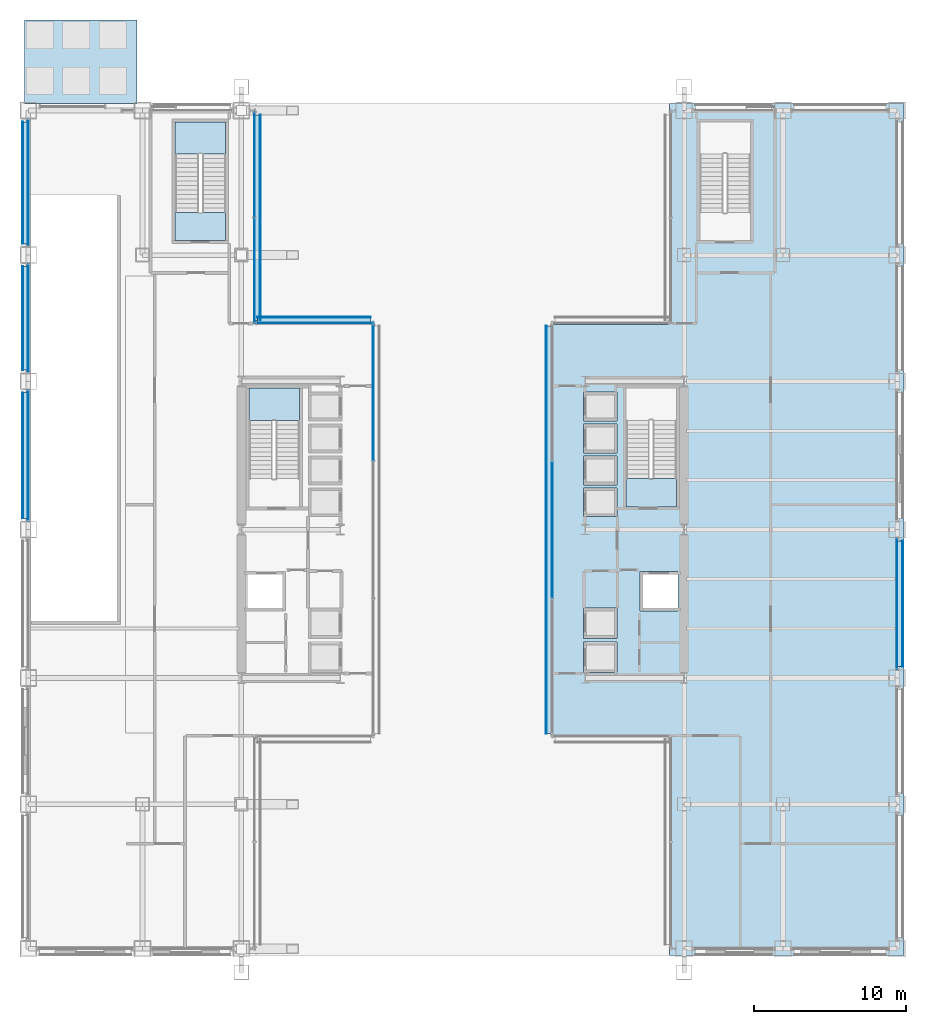
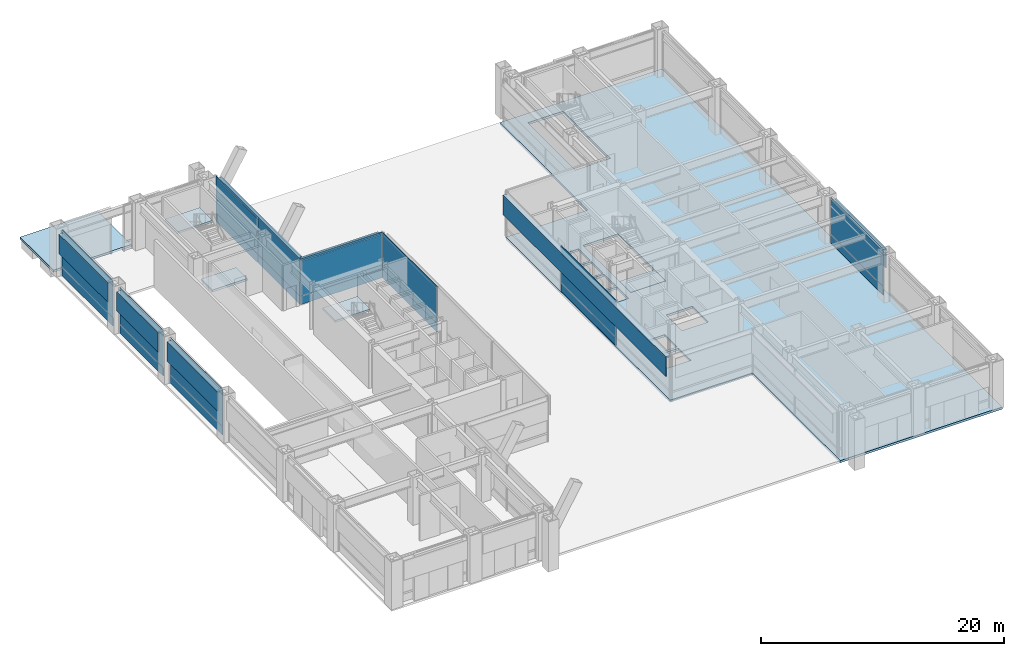
# One storey, part 25 of 37: 32 plates, 6 slabs, 10 elements without a shape of their own.
"""IFC4 building model written with IfcOpenShell, lengths in metres."""

import ifcopenshell
import ifcopenshell.guid

model = None  # the IFC model being written
_history = None  # IfcOwnerHistory: only IFC2X3 demands one
_inside = {}  # id of a spatial element -> (the spatial element, [elements in it])
_under = {}  # id of a project, library or spatial element -> (it, [spatial elements below it])
_declared = {}  # id of a project -> (the project, [libraries it declares])
_typed = {}  # id of a type object -> (the type object, [elements of that type])
_made_of = {}  # id of a material, layer set ... -> (it, [elements and type objects made of it])


def new_model(schema):
    """Start an empty IFC model of exactly this schema.

    Asked for "IFC4X3", IfcOpenShell would pick the latest addendum, in which some entities
    have other attributes; the version numbers below select the first issue.
    IFC2X3 requires an IfcOwnerHistory on every rooted entity: one is made here for all.
    """
    global model, _history
    if schema == "IFC4X3":
        model = ifcopenshell.file(schema_version=(4, 3, 0, 0))
    else:
        model = ifcopenshell.file(schema=schema)
    _inside.clear()
    _under.clear()
    _declared.clear()
    _typed.clear()
    _made_of.clear()
    _history = None
    if model.schema == "IFC2X3":
        org = make("IfcOrganization", Name="unknown")
        user = make(
            "IfcPersonAndOrganization",
            ThePerson=make("IfcPerson", FamilyName="unknown"),
            TheOrganization=org,
        )
        app = make(
            "IfcApplication",
            ApplicationDeveloper=org,
            Version="unknown",
            ApplicationFullName="unknown",
            ApplicationIdentifier="unknown",
        )
        _history = make(
            "IfcOwnerHistory",
            OwningUser=user,
            OwningApplication=app,
            ChangeAction="ADDED",
            CreationDate=0,
        )
    return model


def make(cls, **values):
    """One entity of the class cls with the attributes given. An attribute that is None is left unset."""
    return model.create_entity(
        cls, **{name: value for name, value in values.items() if value is not None}
    )


def rooted(cls, **values):
    """An entity with a GlobalId (a new one), such as an element, a storey or a relation."""
    return make(cls, GlobalId=ifcopenshell.guid.new(), OwnerHistory=_history, **values)


def si_unit(unit_type, name, prefix=None):
    """IfcSIUnit, for example si_unit("LENGTHUNIT", "METRE", prefix="MILLI")."""
    return make("IfcSIUnit", UnitType=unit_type, Prefix=prefix, Name=name)


def assignment(units):
    """IfcUnitAssignment: the units of a project."""
    return None if units is None else make("IfcUnitAssignment", Units=units)


def point(xyz):
    """IfcCartesianPoint."""
    return None if xyz is None else make("IfcCartesianPoint", Coordinates=xyz)


def direction(xyz):
    """IfcDirection."""
    return None if xyz is None else make("IfcDirection", DirectionRatios=xyz)


def frame(location, z_axis=None, x_axis=None):
    """IfcAxis2Placement3D, a coordinate frame: its origin and axes. An axis left out is left unset."""
    return make(
        "IfcAxis2Placement3D",
        Location=point(location),
        Axis=direction(z_axis),
        RefDirection=direction(x_axis),
    )


def frame_2d(location, x_axis=None):
    """IfcAxis2Placement2D, a coordinate frame in the plane: its origin and x axis."""
    return make(
        "IfcAxis2Placement2D", Location=point(location), RefDirection=direction(x_axis)
    )


def origin():
    """The frame at (0, 0, 0) with its axes left unset."""
    return frame((0.0, 0.0, 0.0))


def origin_2d():
    """The frame at (0, 0) in the plane with its x axis left unset."""
    return frame_2d((0.0, 0.0))


def place(relative_to, where):
    """IfcLocalPlacement: puts the frame where relative to a parent placement (None: the world)."""
    return make(
        "IfcLocalPlacement", PlacementRelTo=relative_to, RelativePlacement=where
    )


def context(
    kind, dimensions, precision=None, world=None, true_north=None, identifier=None
):
    """IfcGeometricRepresentationContext, for example the 3D "Model" context."""
    return make(
        "IfcGeometricRepresentationContext",
        ContextIdentifier=identifier,
        ContextType=kind,
        CoordinateSpaceDimension=dimensions,
        Precision=precision,
        WorldCoordinateSystem=world,
        TrueNorth=true_north,
    )


def subcontext(parent, identifier, kind, view, scale=None):
    """IfcGeometricRepresentationSubContext, for example "Body" below "Model"."""
    return make(
        "IfcGeometricRepresentationSubContext",
        ContextIdentifier=identifier,
        ContextType=kind,
        ParentContext=parent,
        TargetScale=scale,
        TargetView=view,
    )


def project(units=None, contexts=None):
    """IfcProject with its units and contexts."""
    return rooted(
        "IfcProject",
        Name="project",
        RepresentationContexts=contexts,
        UnitsInContext=assignment(units),
    )


def spatial(cls, under=None, at=None, **own):
    """A site, building, storey or space (cls), placed at a placement, below another one or the project."""
    s = rooted(cls, ObjectPlacement=at, **own)
    if under is not None:
        _under.setdefault(under.id(), (under, []))[1].append(s)
    return s


def polyline(points):
    """IfcPolyline through the points."""
    return make("IfcPolyline", Points=[point(p) for p in points])


def profile(cls, at=None, kind="AREA", **sizes):
    """A parametric profile (cls). Its sizes go by their IFC names, for example OverallWidth=200.0."""
    return make(cls, ProfileType=kind, Position=at, **sizes)


def rectangle(**sizes):
    """IfcRectangleProfileDef."""
    return profile("IfcRectangleProfileDef", **sizes)


def outline(outer, holes=None, kind="AREA"):
    """IfcArbitraryClosedProfileDef: a profile drawn as a closed curve; with holes, ...WithVoids."""
    if holes is None:
        return make("IfcArbitraryClosedProfileDef", ProfileType=kind, OuterCurve=outer)
    return make(
        "IfcArbitraryProfileDefWithVoids",
        ProfileType=kind,
        OuterCurve=outer,
        InnerCurves=holes,
    )


def extrude(swept, where, along, depth):
    """IfcExtrudedAreaSolid: the profile swept, set in the frame where, extruded along a direction by depth."""
    return make(
        "IfcExtrudedAreaSolid",
        SweptArea=swept,
        Position=where,
        ExtrudedDirection=direction(along),
        Depth=depth,
    )


def shape(context_of_items, identifier, shape_type, items):
    """IfcShapeRepresentation: the items that make up one representation, for example the "Body"."""
    return make(
        "IfcShapeRepresentation",
        ContextOfItems=context_of_items,
        RepresentationIdentifier=identifier,
        RepresentationType=shape_type,
        Items=items,
    )


def material(Name=None, Category=None):
    """IfcMaterial."""
    return make("IfcMaterial", Name=Name, Category=Category)


def layer(
    of_material, thickness, ventilated=None, Name=None, Category=None, Priority=None
):
    """IfcMaterialLayer: one layer of a wall or slab, of a material (None: an air gap)."""
    return make(
        "IfcMaterialLayer",
        Material=of_material,
        LayerThickness=thickness,
        IsVentilated=ventilated,
        Name=Name,
        Category=Category,
        Priority=Priority,
    )


def layer_set(layers, Name=None):
    """IfcMaterialLayerSet."""
    return make("IfcMaterialLayerSet", MaterialLayers=layers, LayerSetName=Name)


def made_of(thing, what):
    """Note that an element or type object is made of a material, layer set ...; save() writes the relation."""
    if what is not None:
        _made_of.setdefault(what.id(), (what, []))[1].append(thing)
    return thing


def type_object(cls, material=None, **own):
    """A type object (cls), such as IfcWallType, which elements share."""
    return made_of(rooted(cls, **own), material)


def element(
    cls,
    number,
    at=None,
    inside=None,
    cuts=None,
    type_object=None,
    material=None,
    context=None,
    identifier="Body",
    shape_type=None,
    held_by="IfcProductDefinitionShape",
    body=None,
    shapes=None,
    **own,
):
    """One element of the class cls, such as IfcWall. Its Tag is "e" and its number.

    at: its placement. inside: the storey or other place that contains it. cuts: it is an
    opening in that element (IfcRelVoidsElement). A single representation is given by context,
    identifier, shape_type and body (its items); several are given by shapes. held_by: the class
    of the entity that holds the representations. save() writes the other relations.
    """
    e = rooted(cls, Tag="e%d" % number, ObjectPlacement=at, **own)
    if body is not None:
        shapes = [shape(context, identifier, shape_type, body)]
    if shapes is not None:
        e.Representation = make(held_by, Representations=shapes)
    if inside is not None:
        _inside.setdefault(inside.id(), (inside, []))[1].append(e)
    if cuts is not None:
        rooted(
            "IfcRelVoidsElement", RelatingBuildingElement=cuts, RelatedOpeningElement=e
        )
    if type_object is not None:
        _typed.setdefault(type_object.id(), (type_object, []))[1].append(e)
    return made_of(e, material)


def aggregate(whole, parts):
    """IfcRelAggregates: a whole, such as a stair, and the parts it consists of."""
    return rooted("IfcRelAggregates", RelatingObject=whole, RelatedObjects=parts)


def save(model, path):
    """Write the relations noted so far, then the file.

    IfcRelAggregates (storeys below a building ...), IfcRelContainedInSpatialStructure (elements
    in a storey), IfcRelDefinesByType, IfcRelAssociatesMaterial and IfcRelDeclares: one each for
    every whole, place, type object, material and project.
    """
    for whole, parts in _under.values():
        aggregate(whole, parts)
    for where, things in _inside.values():
        rooted(
            "IfcRelContainedInSpatialStructure",
            RelatedElements=things,
            RelatingStructure=where,
        )
    for kind, things in _typed.values():
        rooted("IfcRelDefinesByType", RelatedObjects=things, RelatingType=kind)
    for what, things in _made_of.values():
        rooted("IfcRelAssociatesMaterial", RelatedObjects=things, RelatingMaterial=what)
    for by, libraries in _declared.values():
        rooted("IfcRelDeclares", RelatingContext=by, RelatedDefinitions=libraries)
    model.write(path)


model = new_model("IFC4")

# Units and contexts
model_context = context("Model", 3, precision=1e-05, world=origin(), true_north=direction((0.0, 1.0)))
body_context = subcontext(model_context, "Body", "Model", "MODEL_VIEW")
ifc_project = project(units=[si_unit("LENGTHUNIT", "METRE"), si_unit("AREAUNIT", "SQUARE_METRE"), si_unit("VOLUMEUNIT", "CUBIC_METRE"), si_unit("PLANEANGLEUNIT", "RADIAN"), si_unit("MASSUNIT", "GRAM", prefix="KILO")], contexts=[model_context])

# Site, building, storey
site_placement = place(None, origin())
site = spatial("IfcSite", under=ifc_project, at=site_placement, CompositionType="ELEMENT")
building_placement = place(site_placement, origin())
building = spatial("IfcBuilding", under=site, at=building_placement, Name="Brelmoor Portico Tower", CompositionType="ELEMENT")
storey_placement = place(building_placement, origin())
storey = spatial("IfcBuildingStorey", under=building, at=storey_placement, Name="L00", CompositionType="ELEMENT", Elevation=0.0)

# Curtain wall, plate
ifc_material_1 = material(Name="Anodised Aluminium Alloy 6063-T6", Category="aluminium")
ifc_layer_1 = layer(ifc_material_1, 0.179931640625)
ifc_layer_set_1 = layer_set([ifc_layer_1], Name="Anodised Aluminium Alloy 6063-T6")
curtain_wall_type = type_object("IfcCurtainWallType", Name="CW-PODIUM-ARCH", PredefinedType="NOTDEFINED", material=ifc_layer_set_1)
curtain_wall_1_placement = place(storey_placement, origin())
curtain_wall_1 = element("IfcCurtainWall", 1, at=curtain_wall_1_placement, inside=storey, type_object=curtain_wall_type, Name="L00 Curtain Wall CW-L00-05-4", PredefinedType="NOTDEFINED")
ifc_material_2 = material(Name="Double-Silver Low-E Insulated Glazing", Category="glass")
ifc_layer_2 = layer(ifc_material_2, 0.035888671875)
ifc_layer_set_2 = layer_set([ifc_layer_2], Name="Double-Silver Low-E Insulated Glazing")
plate_type_1 = type_object("IfcPlateType", Name="PT-CW-GLASS", PredefinedType="CURTAIN_PANEL", material=ifc_layer_set_2)
plate_1_placement = place(storey_placement, frame((-28.550048828125, 4.875, 0.85009765625), z_axis=(0.0, 0.0, 1.0), x_axis=(0.0, 1.0, 0.0)))
plate_1 = element("IfcPlate", 2, at=plate_1_placement, type_object=plate_type_1, Name="CW-L00-05-4 Vision Glass Panel 00", PredefinedType="CURTAIN_PANEL", context=body_context, shape_type="SweptSolid", body=[
    extrude(rectangle(XDim=8.60009765625, YDim=0.035888671875, at=origin_2d()), origin(), (0.0, 0.0, 1.0), 3.72998046875),
])

curtain_wall_2_placement = place(storey_placement, origin())
curtain_wall_2 = element("IfcCurtainWall", 3, at=curtain_wall_2_placement, inside=storey, type_object=curtain_wall_type, Name="L00 Curtain Wall CW-L00-05-5", PredefinedType="NOTDEFINED")
plate_2_placement = place(storey_placement, frame((-28.550048828125, 13.89990234375, 0.85009765625), z_axis=(0.0, 0.0, 1.0), x_axis=(0.0, 1.0, 0.0)))
plate_2 = element("IfcPlate", 4, at=plate_2_placement, type_object=plate_type_1, Name="CW-L00-05-5 Vision Glass Panel 00", PredefinedType="CURTAIN_PANEL", context=body_context, shape_type="SweptSolid", body=[
    extrude(rectangle(XDim=7.14990234375, YDim=0.035888671875, at=origin_2d()), origin(), (0.0, 0.0, 1.0), 3.72998046875),
])

curtain_wall_3_placement = place(storey_placement, origin())
curtain_wall_3 = element("IfcCurtainWall", 5, at=curtain_wall_3_placement, inside=storey, type_object=curtain_wall_type, Name="L00 Curtain Wall CW-L00-05-6", PredefinedType="NOTDEFINED")
plate_3_placement = place(storey_placement, frame((-28.550048828125, 22.800048828125, 0.85009765625), z_axis=(0.0, 0.0, 1.0), x_axis=(0.0, 1.0, 0.0)))
plate_3 = element("IfcPlate", 6, at=plate_3_placement, type_object=plate_type_1, Name="CW-L00-05-6 Vision Glass Panel 00", PredefinedType="CURTAIN_PANEL", context=body_context, shape_type="SweptSolid", body=[
    extrude(rectangle(XDim=8.35009765625, YDim=0.035888671875, at=origin_2d()), origin(), (0.0, 0.0, 1.0), 3.72998046875),
])

curtain_wall_4_placement = place(storey_placement, origin())
curtain_wall_4 = element("IfcCurtainWall", 7, at=curtain_wall_4_placement, inside=storey, type_object=curtain_wall_type, Name="L00 Curtain Wall CW-L00-06-3", PredefinedType="NOTDEFINED")
plate_4_placement = place(storey_placement, frame((28.550048828125, -4.875, 0.85009765625), z_axis=(0.0, 0.0, 1.0), x_axis=(0.0, 1.0, 0.0)))
plate_4 = element("IfcPlate", 8, at=plate_4_placement, type_object=plate_type_1, Name="CW-L00-06-3 Vision Glass Panel 00", PredefinedType="CURTAIN_PANEL", context=body_context, shape_type="SweptSolid", body=[
    extrude(rectangle(XDim=8.60009765625, YDim=0.035888671875, at=origin_2d()), origin(), (0.0, 0.0, 1.0), 3.72998046875),
])

# Curtain wall, plates
curtain_wall_5_placement = place(storey_placement, origin())
curtain_wall_5 = element("IfcCurtainWall", 9, at=curtain_wall_5_placement, inside=storey, type_object=curtain_wall_type, Name="L00 Curtain Wall CW-L00-09", PredefinedType="NOTDEFINED")
plate_5_placement = place(storey_placement, frame((-13.679931640625, 17.047607421875, 0.85009765625), z_axis=(0.0, 0.0, 1.0), x_axis=(0.0, 1.0, 0.0)))
plate_5 = element("IfcPlate", 10, at=plate_5_placement, type_object=plate_type_1, Name="CW-L00-09 Vision Glass Panel 00", PredefinedType="CURTAIN_PANEL", context=body_context, shape_type="SweptSolid", body=[
    extrude(rectangle(XDim=6.905029296875, YDim=0.035888671875, at=origin_2d()), origin(), (0.0, 0.0, 1.0), 3.72998046875),
])
plate_6_placement = place(storey_placement, frame((-13.679931640625, 23.982421875, 0.85009765625), z_axis=(0.0, 0.0, 1.0), x_axis=(0.0, 1.0, 0.0)))
plate_6 = element("IfcPlate", 11, at=plate_6_placement, type_object=plate_type_1, Name="CW-L00-09 Vision Glass Panel 01", PredefinedType="CURTAIN_PANEL", context=body_context, shape_type="SweptSolid", body=[
    extrude(rectangle(XDim=6.905029296875, YDim=0.035888671875, at=origin_2d()), origin(), (0.0, 0.0, 1.0), 3.72998046875),
])

# Curtain wall, plate
curtain_wall_6_placement = place(storey_placement, origin())
curtain_wall_6 = element("IfcCurtainWall", 12, at=curtain_wall_6_placement, inside=storey, type_object=curtain_wall_type, Name="L00 Curtain Wall CW-L00-13", PredefinedType="NOTDEFINED")
plate_7_placement = place(storey_placement, frame((-9.780029296875, 13.580078125, 0.85009765625), z_axis=(0.0, 0.0, 1.0), x_axis=(1.0, 0.0, 0.0)))
plate_7 = element("IfcPlate", 13, at=plate_7_placement, type_object=plate_type_1, Name="CW-L00-13 Vision Glass Panel 00", PredefinedType="CURTAIN_PANEL", context=body_context, shape_type="SweptSolid", body=[
    extrude(rectangle(XDim=7.77001953125, YDim=0.035888671875, at=origin_2d()), origin(), (0.0, 0.0, 1.0), 3.72998046875),
])

curtain_wall_7_placement = place(storey_placement, origin())
curtain_wall_7 = element("IfcCurtainWall", 14, at=curtain_wall_7_placement, inside=storey, type_object=curtain_wall_type, Name="L00 Curtain Wall CW-L00-15", PredefinedType="NOTDEFINED")
plate_8_placement = place(storey_placement, frame((-5.8798828125, 9.05322265625, 0.85009765625), z_axis=(0.0, 0.0, 1.0), x_axis=(0.0, 1.0, 0.0)))
plate_8 = element("IfcPlate", 15, at=plate_8_placement, type_object=plate_type_1, Name="CW-L00-15 Vision Glass Panel 02", PredefinedType="CURTAIN_PANEL", context=body_context, shape_type="SweptSolid", body=[
    extrude(rectangle(XDim=9.023193359375, YDim=0.035888671875, at=origin_2d()), origin(), (0.0, 0.0, 1.0), 3.72998046875),
])

curtain_wall_8_placement = place(storey_placement, origin())
curtain_wall_8 = element("IfcCurtainWall", 16, at=curtain_wall_8_placement, inside=storey, type_object=curtain_wall_type, Name="L00 Curtain Wall CW-L00-16", PredefinedType="NOTDEFINED")
plate_9_placement = place(storey_placement, frame((5.8798828125, 0.0, 0.85009765625), z_axis=(0.0, 0.0, 1.0), x_axis=(0.0, 1.0, 0.0)))
plate_9 = element("IfcPlate", 17, at=plate_9_placement, type_object=plate_type_1, Name="CW-L00-16 Vision Glass Panel 01", PredefinedType="CURTAIN_PANEL", context=body_context, shape_type="SweptSolid", body=[
    extrude(rectangle(XDim=9.023193359375, YDim=0.035888671875, at=origin_2d()), origin(), (0.0, 0.0, 1.0), 3.72998046875),
])

# Plate
ifc_material_3 = material(Name="Pale Champagne Anodised Aluminium Panel", Category="aluminium")
ifc_layer_3 = layer(ifc_material_3, 0.050048828125)
ifc_layer_set_3 = layer_set([ifc_layer_3], Name="Pale Champagne Anodised Aluminium Panel")
plate_type_2 = type_object("IfcPlateType", Name="PT-CW-SPANDREL", PredefinedType="SHEET", material=ifc_layer_set_3)
plate_10_placement = place(storey_placement, frame((-28.550048828125, 4.875, 0.0), z_axis=(0.0, 0.0, 1.0), x_axis=(0.0, 1.0, 0.0)))
plate_10 = element("IfcPlate", 18, at=plate_10_placement, type_object=plate_type_2, Name="CW-L00-05-4 Spandrel Panel 00", PredefinedType="SHEET", context=body_context, shape_type="SweptSolid", body=[
    extrude(rectangle(XDim=8.60009765625, YDim=0.050048828125, at=origin_2d()), origin(), (0.0, 0.0, 1.0), 0.85009765625),
])

aggregate(curtain_wall_1, [plate_10, plate_1])

plate_11_placement = place(storey_placement, frame((-28.550048828125, 13.89990234375, 0.0), z_axis=(0.0, 0.0, 1.0), x_axis=(0.0, 1.0, 0.0)))
plate_11 = element("IfcPlate", 19, at=plate_11_placement, type_object=plate_type_2, Name="CW-L00-05-5 Spandrel Panel 00", PredefinedType="SHEET", context=body_context, shape_type="SweptSolid", body=[
    extrude(rectangle(XDim=7.14990234375, YDim=0.050048828125, at=origin_2d()), origin(), (0.0, 0.0, 1.0), 0.85009765625),
])

aggregate(curtain_wall_2, [plate_11, plate_2])

plate_12_placement = place(storey_placement, frame((-28.550048828125, 22.800048828125, 0.0), z_axis=(0.0, 0.0, 1.0), x_axis=(0.0, 1.0, 0.0)))
plate_12 = element("IfcPlate", 20, at=plate_12_placement, type_object=plate_type_2, Name="CW-L00-05-6 Spandrel Panel 00", PredefinedType="SHEET", context=body_context, shape_type="SweptSolid", body=[
    extrude(rectangle(XDim=8.35009765625, YDim=0.050048828125, at=origin_2d()), origin(), (0.0, 0.0, 1.0), 0.85009765625),
])

aggregate(curtain_wall_3, [plate_12, plate_3])

plate_13_placement = place(storey_placement, frame((28.550048828125, -4.875, 0.0), z_axis=(0.0, 0.0, 1.0), x_axis=(0.0, 1.0, 0.0)))
plate_13 = element("IfcPlate", 21, at=plate_13_placement, type_object=plate_type_2, Name="CW-L00-06-3 Spandrel Panel 00", PredefinedType="SHEET", context=body_context, shape_type="SweptSolid", body=[
    extrude(rectangle(XDim=8.60009765625, YDim=0.050048828125, at=origin_2d()), origin(), (0.0, 0.0, 1.0), 0.85009765625),
])

aggregate(curtain_wall_4, [plate_13, plate_4])

plate_14_placement = place(storey_placement, frame((-13.679931640625, 17.047607421875, 0.0), z_axis=(0.0, 0.0, 1.0), x_axis=(0.0, 1.0, 0.0)))
plate_14 = element("IfcPlate", 22, at=plate_14_placement, type_object=plate_type_2, Name="CW-L00-09 Spandrel Panel 00", PredefinedType="SHEET", context=body_context, shape_type="SweptSolid", body=[
    extrude(rectangle(XDim=6.905029296875, YDim=0.050048828125, at=origin_2d()), origin(), (0.0, 0.0, 1.0), 0.85009765625),
])

plate_15_placement = place(storey_placement, frame((-13.679931640625, 23.982421875, 0.0), z_axis=(0.0, 0.0, 1.0), x_axis=(0.0, 1.0, 0.0)))
plate_15 = element("IfcPlate", 23, at=plate_15_placement, type_object=plate_type_2, Name="CW-L00-09 Spandrel Panel 01", PredefinedType="SHEET", context=body_context, shape_type="SweptSolid", body=[
    extrude(rectangle(XDim=6.905029296875, YDim=0.050048828125, at=origin_2d()), origin(), (0.0, 0.0, 1.0), 0.85009765625),
])

aggregate(curtain_wall_5, [plate_14, plate_5, plate_15, plate_6])

plate_16_placement = place(storey_placement, frame((-9.780029296875, 13.580078125, 0.0), z_axis=(0.0, 0.0, 1.0), x_axis=(1.0, 0.0, 0.0)))
plate_16 = element("IfcPlate", 24, at=plate_16_placement, type_object=plate_type_2, Name="CW-L00-13 Spandrel Panel 00", PredefinedType="SHEET", context=body_context, shape_type="SweptSolid", body=[
    extrude(rectangle(XDim=7.77001953125, YDim=0.050048828125, at=origin_2d()), origin(), (0.0, 0.0, 1.0), 0.85009765625),
])

aggregate(curtain_wall_6, [plate_16, plate_7])

plate_17_placement = place(storey_placement, frame((-5.8798828125, 9.05322265625, 0.0), z_axis=(0.0, 0.0, 1.0), x_axis=(0.0, 1.0, 0.0)))
plate_17 = element("IfcPlate", 25, at=plate_17_placement, type_object=plate_type_2, Name="CW-L00-15 Spandrel Panel 02", PredefinedType="SHEET", context=body_context, shape_type="SweptSolid", body=[
    extrude(rectangle(XDim=9.023193359375, YDim=0.050048828125, at=origin_2d()), origin(), (0.0, 0.0, 1.0), 0.85009765625),
])

aggregate(curtain_wall_7, [plate_17, plate_8])

plate_18_placement = place(storey_placement, frame((5.8798828125, 0.0, 0.0), z_axis=(0.0, 0.0, 1.0), x_axis=(0.0, 1.0, 0.0)))
plate_18 = element("IfcPlate", 26, at=plate_18_placement, type_object=plate_type_2, Name="CW-L00-16 Spandrel Panel 01", PredefinedType="SHEET", context=body_context, shape_type="SweptSolid", body=[
    extrude(rectangle(XDim=9.023193359375, YDim=0.050048828125, at=origin_2d()), origin(), (0.0, 0.0, 1.0), 0.85009765625),
])

aggregate(curtain_wall_8, [plate_18, plate_9])

# Plates
ifc_material_4 = material(Name="Powder-Coated Aluminium Shuttered Jalousie Louvre", Category="aluminium")
ifc_layer_4 = layer(ifc_material_4, 0.06005859375)
ifc_layer_set_4 = layer_set([ifc_layer_4], Name="Powder-Coated Aluminium Shuttered Jalousie Louvre")
plate_type_3 = type_object("IfcPlateType", Name="PT-JALOUSIE-SHUTTER", PredefinedType="SHEET", material=ifc_layer_set_4)
plate_19_placement = place(storey_placement, frame((-28.929931640625, 4.875, 2.4404296875), z_axis=(0.0, 0.0, 1.0), x_axis=(0.0, 1.0, 0.0)))
element("IfcPlate", 27, at=plate_19_placement, inside=storey, type_object=plate_type_3, Name="CW-L00-05-4 Perforated Jalousie Solar Screen", PredefinedType="SHEET", context=body_context, shape_type="SweptSolid", body=[
    extrude(rectangle(XDim=8.27001953125, YDim=0.06494140625, at=origin_2d()), origin(), (0.0, 0.0, 1.0), 1.939697265625),
])
plate_20_placement = place(storey_placement, frame((-28.929931640625, 13.89990234375, 2.4404296875), z_axis=(0.0, 0.0, 1.0), x_axis=(0.0, 1.0, 0.0)))
element("IfcPlate", 28, at=plate_20_placement, inside=storey, type_object=plate_type_3, Name="CW-L00-05-5 Perforated Jalousie Solar Screen", PredefinedType="SHEET", context=body_context, shape_type="SweptSolid", body=[
    extrude(rectangle(XDim=6.820068359375, YDim=0.06494140625, at=origin_2d()), origin(), (0.0, 0.0, 1.0), 1.939697265625),
])
plate_21_placement = place(storey_placement, frame((-28.929931640625, 22.800048828125, 2.4404296875), z_axis=(0.0, 0.0, 1.0), x_axis=(0.0, 1.0, 0.0)))
element("IfcPlate", 29, at=plate_21_placement, inside=storey, type_object=plate_type_3, Name="CW-L00-05-6 Perforated Jalousie Solar Screen", PredefinedType="SHEET", context=body_context, shape_type="SweptSolid", body=[
    extrude(rectangle(XDim=8.02001953125, YDim=0.06494140625, at=origin_2d()), origin(), (0.0, 0.0, 1.0), 1.939697265625),
])
plate_22_placement = place(storey_placement, frame((28.929931640625, -4.875, 2.4404296875), z_axis=(0.0, 0.0, 1.0), x_axis=(0.0, 1.0, 0.0)))
element("IfcPlate", 30, at=plate_22_placement, inside=storey, type_object=plate_type_3, Name="CW-L00-06-3 Perforated Jalousie Solar Screen", PredefinedType="SHEET", context=body_context, shape_type="SweptSolid", body=[
    extrude(rectangle(XDim=8.27001953125, YDim=0.06494140625, at=origin_2d()), origin(), (0.0, 0.0, 1.0), 1.939697265625),
])
plate_23_placement = place(storey_placement, frame((-13.300048828125, 20.514892578125, 2.4404296875), z_axis=(0.0, 0.0, 1.0), x_axis=(0.0, 1.0, 0.0)))
element("IfcPlate", 31, at=plate_23_placement, inside=storey, type_object=plate_type_3, Name="CW-L00-09 Perforated Jalousie Solar Screen", PredefinedType="SHEET", context=body_context, shape_type="SweptSolid", body=[
    extrude(rectangle(XDim=13.510009765625, YDim=0.06494140625, at=origin_2d()), origin(), (0.0, 0.0, 1.0), 1.939697265625),
])
plate_24_placement = place(storey_placement, frame((-9.780029296875, 13.9599609375, 2.4404296875), z_axis=(0.0, 0.0, 1.0), x_axis=(1.0, 0.0, 0.0)))
element("IfcPlate", 32, at=plate_24_placement, inside=storey, type_object=plate_type_3, Name="CW-L00-13 Perforated Jalousie Solar Screen", PredefinedType="SHEET", context=body_context, shape_type="SweptSolid", body=[
    extrude(rectangle(XDim=7.43994140625, YDim=0.06494140625, at=origin_2d()), origin(), (0.0, 0.0, 1.0), 1.939697265625),
])
plate_25_placement = place(storey_placement, frame((5.5, 0.0, 2.4404296875), z_axis=(0.0, 0.0, 1.0), x_axis=(0.0, 1.0, 0.0)))
element("IfcPlate", 33, at=plate_25_placement, inside=storey, type_object=plate_type_3, Name="CW-L00-16 Perforated Jalousie Solar Screen", PredefinedType="SHEET", context=body_context, shape_type="SweptSolid", body=[
    extrude(rectangle(XDim=26.800048828125, YDim=0.06494140625, at=origin_2d()), origin(), (0.0, 0.0, 1.0), 1.939697265625),
])
ifc_material_5 = material(Name="Pale Champagne Perforated Aluminium Solar Screen", Category="aluminium")
ifc_layer_5 = layer(ifc_material_5, 0.054931640625)
ifc_layer_set_5 = layer_set([ifc_layer_5], Name="Pale Champagne Perforated Aluminium Solar Screen")
plate_type_4 = type_object("IfcPlateType", Name="PT-SOLAR-LOUVRE", PredefinedType="SHEET", material=ifc_layer_set_5)
plate_26_placement = place(storey_placement, frame((-28.760009765625, 4.875, 4.27001953125), z_axis=(0.0, 0.0, 1.0), x_axis=(0.0, 1.0, 0.0)))
element("IfcPlate", 34, at=plate_26_placement, inside=storey, type_object=plate_type_4, Name="CW-L00-05-4 Caribbean Brise-Soleil Solar Screen", PredefinedType="SHEET", context=body_context, shape_type="SweptSolid", body=[
    extrude(rectangle(XDim=8.27001953125, YDim=0.4599609375, at=origin_2d()), origin(), (0.0, 0.0, 1.0), 0.139892578125),
])
plate_27_placement = place(storey_placement, frame((-28.760009765625, 13.89990234375, 4.27001953125), z_axis=(0.0, 0.0, 1.0), x_axis=(0.0, 1.0, 0.0)))
element("IfcPlate", 35, at=plate_27_placement, inside=storey, type_object=plate_type_4, Name="CW-L00-05-5 Caribbean Brise-Soleil Solar Screen", PredefinedType="SHEET", context=body_context, shape_type="SweptSolid", body=[
    extrude(rectangle(XDim=6.820068359375, YDim=0.4599609375, at=origin_2d()), origin(), (0.0, 0.0, 1.0), 0.139892578125),
])
plate_28_placement = place(storey_placement, frame((-28.760009765625, 22.800048828125, 4.27001953125), z_axis=(0.0, 0.0, 1.0), x_axis=(0.0, 1.0, 0.0)))
element("IfcPlate", 36, at=plate_28_placement, inside=storey, type_object=plate_type_4, Name="CW-L00-05-6 Caribbean Brise-Soleil Solar Screen", PredefinedType="SHEET", context=body_context, shape_type="SweptSolid", body=[
    extrude(rectangle(XDim=8.02001953125, YDim=0.4599609375, at=origin_2d()), origin(), (0.0, 0.0, 1.0), 0.139892578125),
])
plate_29_placement = place(storey_placement, frame((28.760009765625, -4.875, 4.27001953125), z_axis=(0.0, 0.0, 1.0), x_axis=(0.0, 1.0, 0.0)))
element("IfcPlate", 37, at=plate_29_placement, inside=storey, type_object=plate_type_4, Name="CW-L00-06-3 Caribbean Brise-Soleil Solar Screen", PredefinedType="SHEET", context=body_context, shape_type="SweptSolid", body=[
    extrude(rectangle(XDim=8.27001953125, YDim=0.4599609375, at=origin_2d()), origin(), (0.0, 0.0, 1.0), 0.139892578125),
])
plate_30_placement = place(storey_placement, frame((-13.469970703125, 20.514892578125, 4.27001953125), z_axis=(0.0, 0.0, 1.0), x_axis=(0.0, 1.0, 0.0)))
element("IfcPlate", 38, at=plate_30_placement, inside=storey, type_object=plate_type_4, Name="CW-L00-09 Caribbean Brise-Soleil Solar Screen", PredefinedType="SHEET", context=body_context, shape_type="SweptSolid", body=[
    extrude(rectangle(XDim=13.510009765625, YDim=0.4599609375, at=origin_2d()), origin(), (0.0, 0.0, 1.0), 0.139892578125),
])
plate_31_placement = place(storey_placement, frame((-9.780029296875, 13.7900390625, 4.27001953125), z_axis=(0.0, 0.0, 1.0), x_axis=(1.0, 0.0, 0.0)))
element("IfcPlate", 39, at=plate_31_placement, inside=storey, type_object=plate_type_4, Name="CW-L00-13 Caribbean Brise-Soleil Solar Screen", PredefinedType="SHEET", context=body_context, shape_type="SweptSolid", body=[
    extrude(rectangle(XDim=7.43994140625, YDim=0.4599609375, at=origin_2d()), origin(), (0.0, 0.0, 1.0), 0.139892578125),
])
plate_32_placement = place(storey_placement, frame((5.669921875, 0.0, 4.27001953125), z_axis=(0.0, 0.0, 1.0), x_axis=(0.0, 1.0, 0.0)))
element("IfcPlate", 40, at=plate_32_placement, inside=storey, type_object=plate_type_4, Name="CW-L00-16 Caribbean Brise-Soleil Solar Screen", PredefinedType="SHEET", context=body_context, shape_type="SweptSolid", body=[
    extrude(rectangle(XDim=26.800048828125, YDim=0.4599609375, at=origin_2d()), origin(), (0.0, 0.0, 1.0), 0.139892578125),
])

# Slab
ifc_material_6 = material(Name="Concrete C40", Category="concrete")
ifc_layer_6 = layer(ifc_material_6, 0.219970703125)
ifc_layer_set_6 = layer_set([ifc_layer_6], Name="Concrete C40")
slab_type_1 = type_object("IfcSlabType", Name="SL-FLOOR-220", PredefinedType="FLOOR", material=ifc_layer_set_6)
slab_1_placement = place(storey_placement, frame((0.0, 0.0, -0.219970703125)))
element("IfcSlab", 41, at=slab_1_placement, inside=storey, type_object=slab_type_1, Name="L00 East Pier Floor Slab", PredefinedType="FLOOR", context=body_context, shape_type="SweptSolid", body=[
    extrude(outline(polyline([(13.60009765625, -28.0), (29.0, -28.0), (29.0, 28.0), (13.60009765625, 28.0), (13.60009765625, 13.5), (5.800048828125, 13.5), (5.800048828125, -13.5), (13.60009765625, -13.5), (13.60009765625, -28.0)]), holes=[polyline([(14.050048828125, 1.5), (14.050048828125, 9.300048828125), (10.72998046875, 9.300048828125), (10.72998046875, 1.5), (14.050048828125, 1.5)]), polyline([(18.89990234375, 19.0), (18.89990234375, 26.800048828125), (15.580078125, 26.800048828125), (15.580078125, 19.0), (18.89990234375, 19.0)]), polyline([(7.949951171875, 0.85009765625), (10.14990234375, 0.85009765625), (10.14990234375, 2.75), (7.949951171875, 2.75), (7.949951171875, 0.85009765625)]), polyline([(7.949951171875, 2.949951171875), (10.14990234375, 2.949951171875), (10.14990234375, 4.85009765625), (7.949951171875, 4.85009765625), (7.949951171875, 2.949951171875)]), polyline([(7.949951171875, 5.050048828125), (10.14990234375, 5.050048828125), (10.14990234375, 6.949951171875), (7.949951171875, 6.949951171875), (7.949951171875, 5.050048828125)]), polyline([(7.949951171875, 7.14990234375), (10.14990234375, 7.14990234375), (10.14990234375, 9.050048828125), (7.949951171875, 9.050048828125), (7.949951171875, 7.14990234375)]), polyline([(7.949951171875, -9.39990234375), (10.14990234375, -9.39990234375), (10.14990234375, -7.39990234375), (7.949951171875, -7.39990234375), (7.949951171875, -9.39990234375)]), polyline([(7.949951171875, -7.14990234375), (10.14990234375, -7.14990234375), (10.14990234375, -5.14990234375), (7.949951171875, -5.14990234375), (7.949951171875, -7.14990234375)]), polyline([(11.64990234375, -5.35009765625), (14.14990234375, -5.35009765625), (14.14990234375, -2.75), (11.64990234375, -2.75), (11.64990234375, -5.35009765625)])]), origin(), (0.0, 0.0, 1.0), 0.219970703125),
])

# Stair, slab
stair_type_1 = type_object("IfcStairType", Name="ST-CORE-W", PredefinedType="HALF_TURN_STAIR", material=ifc_material_6)
stair_1_placement = place(storey_placement, origin())
stair_1 = element("IfcStair", 42, at=stair_1_placement, inside=storey, type_object=stair_type_1, Name="L00 Protected Core Exit Stair ST-W", PredefinedType="HALF_TURN_STAIR")
ifc_layer_7 = layer(ifc_material_6, 0.179931640625)
ifc_layer_set_7 = layer_set([ifc_layer_7], Name="Concrete C40")
slab_type_2 = type_object("IfcSlabType", Name="SL-LANDING-180", PredefinedType="LANDING", material=ifc_layer_set_7)
slab_2_placement = place(storey_placement, frame((0.0, 0.0, 2.199951171875)))
slab_2 = element("IfcSlab", 43, at=slab_2_placement, type_object=slab_type_2, Name="ST-W landing 1", PredefinedType="LANDING", context=body_context, shape_type="SweptSolid", body=[
    extrude(outline(polyline([(-10.72998046875, 7.18505859375), (-10.72998046875, 9.300048828125), (-14.050048828125, 9.300048828125), (-14.050048828125, 7.18505859375), (-10.72998046875, 7.18505859375)])), origin(), (0.0, 0.0, 1.0), 0.199951171875),
])
aggregate(stair_1, [slab_2])

stair_type_2 = type_object("IfcStairType", Name="ST-POD-P1", PredefinedType="HALF_TURN_STAIR", material=ifc_material_6)
stair_2_placement = place(storey_placement, origin())
stair_2 = element("IfcStair", 44, at=stair_2_placement, inside=storey, type_object=stair_type_2, Name="L00 Podium Protected Exit Stair ST-P1", PredefinedType="HALF_TURN_STAIR")
slab_3_placement = place(storey_placement, frame((0.0, 0.0, 2.199951171875)))
slab_3 = element("IfcSlab", 45, at=slab_3_placement, type_object=slab_type_2, Name="ST-P1 landing 1", PredefinedType="LANDING", context=body_context, shape_type="SweptSolid", body=[
    extrude(outline(polyline([(-15.580078125, 24.68505859375), (-15.580078125, 26.800048828125), (-18.89990234375, 26.800048828125), (-18.89990234375, 24.68505859375), (-15.580078125, 24.68505859375)])), origin(), (0.0, 0.0, 1.0), 0.199951171875),
])
aggregate(stair_2, [slab_3])

# Slabs
ifc_layer_8 = layer(ifc_material_6, 0.219970703125)
ifc_layer_set_8 = layer_set([ifc_layer_8], Name="Concrete C40")
slab_type_3 = type_object("IfcSlabType", Name="SL-PAVING-220", PredefinedType="USERDEFINED", material=ifc_layer_set_8)
slab_4_placement = place(storey_placement, frame((0.0, 0.0, -0.219970703125)))
element("IfcSlab", 46, at=slab_4_placement, inside=storey, type_object=slab_type_3, Name="Car Park Entrance Street Driveway Apron PV-02", ObjectType="PAVING", PredefinedType="USERDEFINED", context=body_context, shape_type="SweptSolid", body=[
    extrude(outline(polyline([(-28.800048828125, 28.0), (-21.39990234375, 28.0), (-21.39990234375, 33.5), (-28.800048828125, 33.5), (-28.800048828125, 28.0)])), origin(), (0.0, 0.0, 1.0), 0.219970703125),
])
ifc_layer_9 = layer(ifc_material_6, 0.219970703125)
ifc_layer_set_9 = layer_set([ifc_layer_9], Name="Concrete C40")
slab_type_4 = type_object("IfcSlabType", Name="SL-STAIR-FL220", PredefinedType="LANDING", material=ifc_layer_set_9)
slab_5_placement = place(storey_placement, frame((0.0, 0.0, -0.219970703125)))
element("IfcSlab", 47, at=slab_5_placement, inside=storey, type_object=slab_type_4, Name="L00 ST-E Structural Floor Landing Slab", PredefinedType="LANDING", context=body_context, shape_type="SweptSolid", body=[
    extrude(outline(polyline([(14.050048828125, 1.5), (14.050048828125, 3.35009765625), (10.72998046875, 3.35009765625), (10.72998046875, 1.5), (14.050048828125, 1.5)])), origin(), (0.0, 0.0, 1.0), 0.219970703125),
])
slab_6_placement = place(storey_placement, frame((0.0, 0.0, -0.219970703125)))
element("IfcSlab", 48, at=slab_6_placement, inside=storey, type_object=slab_type_4, Name="L00 ST-P1 Structural Floor Landing Slab", PredefinedType="LANDING", context=body_context, shape_type="SweptSolid", body=[
    extrude(outline(polyline([(-15.580078125, 19.0), (-15.580078125, 20.85009765625), (-18.89990234375, 20.85009765625), (-18.89990234375, 19.0), (-15.580078125, 19.0)])), origin(), (0.0, 0.0, 1.0), 0.219970703125),
])

save(model, "model.ifc")
